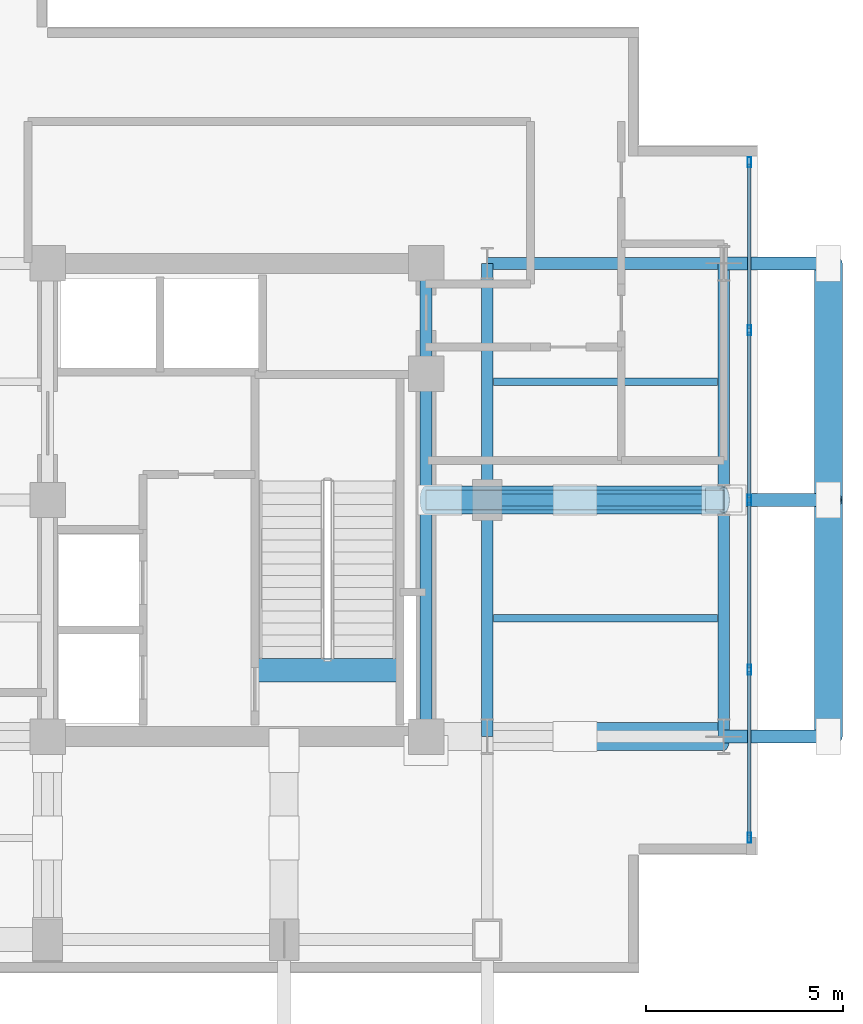
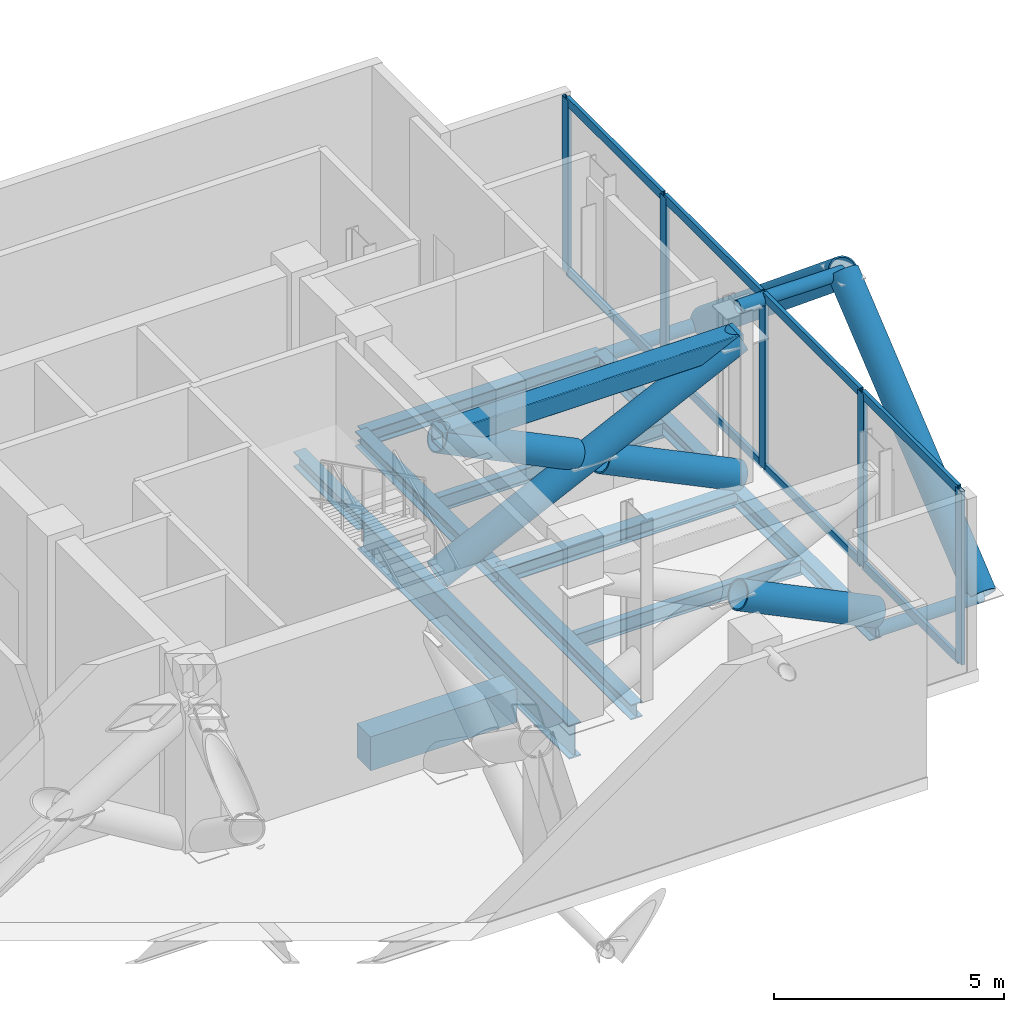
# One storey, part 3 of 8: 23 members, 11 beams, 1 element without a shape of its own.
"""IFC4 building model written with IfcOpenShell, lengths in metres."""

from ifc_helpers import new_model, si_unit, direction, frame, origin, origin_2d, place, context, subcontext, project, spatial, rectangle, hollow_rectangle, hollow_circle, i_section, extrude, material, layer, layer_set, material_profile, profile_set, type_object, element, aggregate, save


model = new_model("IFC4")

# Units and contexts
model_context = context("Model", 3, precision=1e-05, world=origin(), true_north=direction((0.0, 1.0)))
body_context = subcontext(model_context, "Body", "Model", "MODEL_VIEW")
ifc_project = project(units=[si_unit("LENGTHUNIT", "METRE"), si_unit("AREAUNIT", "SQUARE_METRE"), si_unit("VOLUMEUNIT", "CUBIC_METRE"), si_unit("PLANEANGLEUNIT", "RADIAN"), si_unit("MASSUNIT", "GRAM", prefix="KILO"), si_unit("THERMODYNAMICTEMPERATUREUNIT", "KELVIN"), si_unit("POWERUNIT", "WATT")], contexts=[model_context])

# Site, building, storey
site_placement = place(None, origin())
site = spatial("IfcSite", under=ifc_project, at=site_placement, CompositionType="ELEMENT")
building_placement = place(site_placement, origin())
building = spatial("IfcBuilding", under=site, at=building_placement, Name="Svarakhadi Broadcast Tower", CompositionType="ELEMENT")
storey_placement = place(building_placement, frame((0.0, 0.0, 234.89990234375)))
storey = spatial("IfcBuildingStorey", under=building, at=storey_placement, Name="L58", CompositionType="ELEMENT", Elevation=234.89990234375)

# Beams
ifc_material_1 = material(Name="Steel S355J2 (IS 2062 E350C)", Category="steel")
ifc_material_profile_1 = material_profile(ifc_material_1, i_section(OverallWidth=0.179931640625, OverallDepth=0.39990234375, WebThickness=0.008544921875, FlangeThickness=0.013427734375, FilletRadius=0.02099609375, at=origin_2d()), Name="NPB 400x180x66")
ifc_profile_set_1 = profile_set([ifc_material_profile_1], Name="Steel S355J2 (IS 2062 E350C)")
beam_type_1 = type_object("IfcBeamType", Name="Beam_NPB400", PredefinedType="BEAM", material=ifc_profile_set_1)
for number, where, z_axis, x_axis, name in (
    (1, (35.31005859375, 9.0, -0.52490234375), (1.0, 0.0, 0.0), (0.0, 1.0, 0.0), "L58 Secondary Composite Beam SB016"),
    (2, (35.31005859375, 15.0, -0.52490234375), (1.0, 0.0, 0.0), (0.0, 1.0, 0.0), "L58 Secondary Composite Beam SB017"),
):
    element("IfcBeam", number, at=place(storey_placement, frame(where, z_axis=z_axis, x_axis=x_axis)), inside=storey, type_object=beam_type_1, Name=name, PredefinedType="BEAM", context=body_context, shape_type="SweptSolid", body=[
        extrude(i_section(OverallWidth=0.179931640625, OverallDepth=0.39990234375, WebThickness=0.008544921875, FlangeThickness=0.013427734375, FilletRadius=0.02099609375, at=origin_2d()), origin(), (0.0, 0.0, 1.0), 5.679931640625),
    ])

# Curtain wall, members
ifc_material_2 = material(Name="Anodised Bronze Aluminium AA 6063-T6", Category="aluminium")
ifc_layer = layer(ifc_material_2, 0.260009765625)
ifc_layer_set = layer_set([ifc_layer], Name="Anodised Bronze Aluminium AA 6063-T6")
curtain_wall_type = type_object("IfcCurtainWallType", Name="CW_Sys_07", PredefinedType="NOTDEFINED", material=ifc_layer_set)
curtain_wall_placement = place(storey_placement, origin())
curtain_wall = element("IfcCurtainWall", 3, at=curtain_wall_placement, inside=storey, type_object=curtain_wall_type, Name="L58 East Plant Daylighting Curtain Wall CW-07", PredefinedType="NOTDEFINED")
ifc_material_profile_2 = material_profile(ifc_material_2, hollow_rectangle(XDim=0.090087890625, YDim=0.260009765625, WallThickness=0.005615234375, at=origin_2d()), Name="ALU MULLION 260x90x6")
ifc_profile_set_2 = profile_set([ifc_material_profile_2], Name="Anodised Bronze Aluminium AA 6063-T6")
member_type_1 = type_object("IfcMemberType", Name="CW_Sys_07_Mul", PredefinedType="MULLION", material=ifc_profile_set_2)
member_1_placement = place(storey_placement, frame((41.800048828125, 20.56494140625, 0.0), z_axis=(0.0, 0.0, 1.0), x_axis=(1.0, 0.0, 0.0)))
member_1 = element("IfcMember", 4, at=member_1_placement, type_object=member_type_1, Name="CW-07 mullion 1", PredefinedType="MULLION", context=body_context, shape_type="SweptSolid", body=[
    extrude(hollow_rectangle(XDim=0.090087890625, YDim=0.260009765625, WallThickness=0.005615234375, at=origin_2d()), origin(), (0.0, 0.0, 1.0), 4.60009765625),
])
member_2_placement = place(storey_placement, frame((41.800048828125, 16.304931640625, 0.0), z_axis=(0.0, 0.0, 1.0), x_axis=(1.0, 0.0, 0.0)))
member_2 = element("IfcMember", 5, at=member_2_placement, type_object=member_type_1, Name="CW-07 mullion 2", PredefinedType="MULLION", context=body_context, shape_type="SweptSolid", body=[
    extrude(hollow_rectangle(XDim=0.090087890625, YDim=0.260009765625, WallThickness=0.005615234375, at=origin_2d()), origin(), (0.0, 0.0, 1.0), 4.60009765625),
])
member_3_placement = place(storey_placement, frame((41.800048828125, 12.0, 0.0), z_axis=(0.0, 0.0, 1.0), x_axis=(1.0, 0.0, 0.0)))
member_3 = element("IfcMember", 6, at=member_3_placement, type_object=member_type_1, Name="CW-07 mullion 3", PredefinedType="MULLION", context=body_context, shape_type="SweptSolid", body=[
    extrude(hollow_rectangle(XDim=0.090087890625, YDim=0.260009765625, WallThickness=0.005615234375, at=origin_2d()), origin(), (0.0, 0.0, 1.0), 4.60009765625),
])
member_4_placement = place(storey_placement, frame((41.800048828125, 7.695068359375, 0.0), z_axis=(0.0, 0.0, 1.0), x_axis=(1.0, 0.0, 0.0)))
member_4 = element("IfcMember", 7, at=member_4_placement, type_object=member_type_1, Name="CW-07 mullion 4", PredefinedType="MULLION", context=body_context, shape_type="SweptSolid", body=[
    extrude(hollow_rectangle(XDim=0.090087890625, YDim=0.260009765625, WallThickness=0.005615234375, at=origin_2d()), origin(), (0.0, 0.0, 1.0), 4.60009765625),
])
member_5_placement = place(storey_placement, frame((41.800048828125, 3.43505859375, 0.0), z_axis=(0.0, 0.0, 1.0), x_axis=(1.0, 0.0, 0.0)))
member_5 = element("IfcMember", 8, at=member_5_placement, type_object=member_type_1, Name="CW-07 mullion 5", PredefinedType="MULLION", context=body_context, shape_type="SweptSolid", body=[
    extrude(hollow_rectangle(XDim=0.090087890625, YDim=0.260009765625, WallThickness=0.005615234375, at=origin_2d()), origin(), (0.0, 0.0, 1.0), 4.60009765625),
])
ifc_material_profile_3 = material_profile(ifc_material_2, hollow_rectangle(XDim=0.090087890625, YDim=0.22998046875, WallThickness=0.0048828125, at=origin_2d()), Name="ALU TRANSOM 230x90x5")
ifc_profile_set_3 = profile_set([ifc_material_profile_3], Name="Anodised Bronze Aluminium AA 6063-T6")
member_type_2 = type_object("IfcMemberType", Name="CW_Sys_07_Trn", PredefinedType="USERDEFINED", material=ifc_profile_set_3)
member_6_placement = place(storey_placement, frame((41.800048828125, 20.52001953125, 0.045166015625), z_axis=(0.0, -1.0, 0.0), x_axis=(1.0, 0.0, 0.0)))
member_6 = element("IfcMember", 9, at=member_6_placement, type_object=member_type_2, Name="CW-07 transom 1.1", ObjectType="TRANSOM", PredefinedType="USERDEFINED", context=body_context, shape_type="SweptSolid", body=[
    extrude(hollow_rectangle(XDim=0.090087890625, YDim=0.22998046875, WallThickness=0.0048828125, at=origin_2d()), origin(), (0.0, 0.0, 1.0), 4.169921875),
])
member_7_placement = place(storey_placement, frame((41.800048828125, 20.52001953125, 4.55517578125), z_axis=(0.0, -1.0, 0.0), x_axis=(1.0, 0.0, 0.0)))
member_7 = element("IfcMember", 10, at=member_7_placement, type_object=member_type_2, Name="CW-07 transom 1.2", ObjectType="TRANSOM", PredefinedType="USERDEFINED", context=body_context, shape_type="SweptSolid", body=[
    extrude(hollow_rectangle(XDim=0.090087890625, YDim=0.22998046875, WallThickness=0.0048828125, at=origin_2d()), origin(), (0.0, 0.0, 1.0), 4.169921875),
])
member_8_placement = place(storey_placement, frame((41.800048828125, 16.260009765625, 0.045166015625), z_axis=(0.0, -1.0, 0.0), x_axis=(1.0, 0.0, 0.0)))
member_8 = element("IfcMember", 11, at=member_8_placement, type_object=member_type_2, Name="CW-07 transom 2.1", ObjectType="TRANSOM", PredefinedType="USERDEFINED", context=body_context, shape_type="SweptSolid", body=[
    extrude(hollow_rectangle(XDim=0.090087890625, YDim=0.22998046875, WallThickness=0.0048828125, at=origin_2d()), origin(), (0.0, 0.0, 1.0), 4.215087890625),
])
member_9_placement = place(storey_placement, frame((41.800048828125, 16.260009765625, 4.55517578125), z_axis=(0.0, -1.0, 0.0), x_axis=(1.0, 0.0, 0.0)))
member_9 = element("IfcMember", 12, at=member_9_placement, type_object=member_type_2, Name="CW-07 transom 2.2", ObjectType="TRANSOM", PredefinedType="USERDEFINED", context=body_context, shape_type="SweptSolid", body=[
    extrude(hollow_rectangle(XDim=0.090087890625, YDim=0.22998046875, WallThickness=0.0048828125, at=origin_2d()), origin(), (0.0, 0.0, 1.0), 4.215087890625),
])
member_10_placement = place(storey_placement, frame((41.800048828125, 11.955078125, 0.045166015625), z_axis=(0.0, -1.0, 0.0), x_axis=(1.0, 0.0, 0.0)))
member_10 = element("IfcMember", 13, at=member_10_placement, type_object=member_type_2, Name="CW-07 transom 3.1", ObjectType="TRANSOM", PredefinedType="USERDEFINED", context=body_context, shape_type="SweptSolid", body=[
    extrude(hollow_rectangle(XDim=0.090087890625, YDim=0.22998046875, WallThickness=0.0048828125, at=origin_2d()), origin(), (0.0, 0.0, 1.0), 4.215087890625),
])
member_11_placement = place(storey_placement, frame((41.800048828125, 11.955078125, 4.55517578125), z_axis=(0.0, -1.0, 0.0), x_axis=(1.0, 0.0, 0.0)))
member_11 = element("IfcMember", 14, at=member_11_placement, type_object=member_type_2, Name="CW-07 transom 3.2", ObjectType="TRANSOM", PredefinedType="USERDEFINED", context=body_context, shape_type="SweptSolid", body=[
    extrude(hollow_rectangle(XDim=0.090087890625, YDim=0.22998046875, WallThickness=0.0048828125, at=origin_2d()), origin(), (0.0, 0.0, 1.0), 4.215087890625),
])
member_12_placement = place(storey_placement, frame((41.800048828125, 7.64990234375, 0.045166015625), z_axis=(0.0, -1.0, 0.0), x_axis=(1.0, 0.0, 0.0)))
member_12 = element("IfcMember", 15, at=member_12_placement, type_object=member_type_2, Name="CW-07 transom 4.1", ObjectType="TRANSOM", PredefinedType="USERDEFINED", context=body_context, shape_type="SweptSolid", body=[
    extrude(hollow_rectangle(XDim=0.090087890625, YDim=0.22998046875, WallThickness=0.0048828125, at=origin_2d()), origin(), (0.0, 0.0, 1.0), 4.169921875),
])
member_13_placement = place(storey_placement, frame((41.800048828125, 7.64990234375, 4.55517578125), z_axis=(0.0, -1.0, 0.0), x_axis=(1.0, 0.0, 0.0)))
member_13 = element("IfcMember", 16, at=member_13_placement, type_object=member_type_2, Name="CW-07 transom 4.2", ObjectType="TRANSOM", PredefinedType="USERDEFINED", context=body_context, shape_type="SweptSolid", body=[
    extrude(hollow_rectangle(XDim=0.090087890625, YDim=0.22998046875, WallThickness=0.0048828125, at=origin_2d()), origin(), (0.0, 0.0, 1.0), 4.169921875),
])
aggregate(curtain_wall, [member_1, member_2, member_3, member_4, member_5, member_6, member_7, member_8, member_9, member_10, member_11, member_12, member_13])

# Beam
ifc_material_3 = material(Name="Concrete C50/60 (IS 456 M60)", Category="concrete")
ifc_material_profile_4 = material_profile(ifc_material_3, rectangle(XDim=0.60009765625, YDim=0.89990234375, at=origin_2d()), Name="RC 600x900")
ifc_profile_set_4 = profile_set([ifc_material_profile_4], Name="Concrete C50/60 (IS 456 M60)")
beam_type_2 = type_object("IfcBeamType", Name="Coupling_RC600", PredefinedType="USERDEFINED", material=ifc_profile_set_4)
beam_1_placement = place(storey_placement, frame((29.260009765625, 7.679931640625, -0.449951171875), z_axis=(1.0, 0.0, 0.0), x_axis=(0.0, 1.0, 0.0)))
element("IfcBeam", 17, at=beam_1_placement, inside=storey, type_object=beam_type_2, Name="L58 Stair ST-02 Landing Throat Trimmer Beam CB-01", ObjectType="GIRDER", PredefinedType="USERDEFINED", context=body_context, shape_type="SweptSolid", body=[
    extrude(rectangle(XDim=0.60009765625, YDim=0.89990234375, at=origin_2d()), origin(), (0.0, 0.0, 1.0), 3.679931640625),
])

# Members
ifc_material_4 = material(Name="Steel S460ML (IS 2062 E450BR)", Category="steel")
ifc_material_profile_5 = material_profile(ifc_material_4, hollow_circle(Radius=0.35546875, WallThickness=0.034912109375, at=origin_2d()), Name="CHS 711x35")
ifc_profile_set_5 = profile_set([ifc_material_profile_5], Name="Steel S460ML (IS 2062 E450BR)")
member_type_3 = type_object("IfcMemberType", Name="Exo_Brace_CHS711", PredefinedType="BRACE", material=ifc_profile_set_5)
for number, where, z_axis, x_axis, name in (
    (18, (43.800048828125, 6.0, -0.48681640625), (0.0, 0.771345545027, 0.636416569683), (-1.0, 0.0, 0.0), "L58 Exposed Bronze Exoskeleton Diagonal E10"),
    (19, (43.800048828125, 18.0, -0.48681640625), (0.0, -0.771345545027, 0.636416569683), (1.0, 0.0, 0.0), "L58 Exposed Bronze Exoskeleton Diagonal E11"),
):
    element("IfcMember", number, at=place(storey_placement, frame(where, z_axis=z_axis, x_axis=x_axis)), inside=storey, type_object=member_type_3, Name=name, PredefinedType="BRACE", context=body_context, shape_type="SweptSolid", body=[
        extrude(hollow_circle(Radius=0.35546875, WallThickness=0.034912109375, at=origin_2d()), origin(), (0.0, 0.0, 1.0), 7.778564453125),
    ])
ifc_material_profile_6 = material_profile(ifc_material_4, hollow_circle(Radius=0.161865234375, WallThickness=0.01611328125, at=origin_2d()), Name="CHS 323.9x16")
ifc_profile_set_6 = profile_set([ifc_material_profile_6], Name="Steel S460ML (IS 2062 E450BR)")
member_type_4 = type_object("IfcMemberType", Name="Exo_Radial_Strut_Z2", PredefinedType="STRUT", material=ifc_profile_set_6)
for number, where, z_axis, x_axis, name in (
    (20, (43.800048828125, 6.0, -0.48681640625), (-1.0, 0.0, 0.0), (0.0, -1.0, 0.0), "L58 Exoskeleton Radial Tie Strut E07"),
    (21, (43.800048828125, 18.0, -0.48681640625), (-1.0, 0.0, 0.0), (0.0, -1.0, 0.0), "L58 Exoskeleton Radial Tie Strut E08"),
    (22, (43.800048828125, 12.0, 4.463623046875), (-1.0, 0.0, 0.0), (0.0, -1.0, 0.0), "L58 Exoskeleton Setback Top Radial Tie E01"),
):
    element("IfcMember", number, at=place(storey_placement, frame(where, z_axis=z_axis, x_axis=x_axis)), inside=storey, type_object=member_type_4, Name=name, PredefinedType="STRUT", context=body_context, shape_type="SweptSolid", body=[
        extrude(hollow_circle(Radius=0.161865234375, WallThickness=0.01611328125, at=origin_2d()), origin(), (0.0, 0.0, 1.0), 2.650146484375),
    ])

# Beams
ifc_material_profile_7 = material_profile(ifc_material_1, i_section(OverallWidth=0.300048828125, OverallDepth=0.39990234375, WebThickness=0.013427734375, FlangeThickness=0.02392578125, FilletRadius=0.027099609375, at=origin_2d()), Name="WPB 400x300x155")
ifc_profile_set_7 = profile_set([ifc_material_profile_7], Name="Steel S355J2 (IS 2062 E350C)")
beam_type_3 = type_object("IfcBeamType", Name="Girder_WPB400", PredefinedType="USERDEFINED", material=ifc_profile_set_7)
for number, where, z_axis, x_axis, name in (
    (23, (35.14990234375, 12.0, -0.52490234375), (1.0, 0.0, 0.0), (0.0, 1.0, 0.0), "L58 Primary E-W Girder G019"),
    (24, (35.14990234375, 18.0, -0.52490234375), (1.0, 0.0, 0.0), (0.0, 1.0, 0.0), "L58 Primary E-W Girder G025"),
):
    element("IfcBeam", number, at=place(storey_placement, frame(where, z_axis=z_axis, x_axis=x_axis)), inside=storey, type_object=beam_type_3, Name=name, ObjectType="GIRDER", PredefinedType="USERDEFINED", context=body_context, shape_type="SweptSolid", body=[
        extrude(i_section(OverallWidth=0.300048828125, OverallDepth=0.39990234375, WebThickness=0.013427734375, FlangeThickness=0.02392578125, FilletRadius=0.027099609375, at=origin_2d()), origin(), (0.0, 0.0, 1.0), 6.0),
    ])
beam_2_placement = place(storey_placement, frame((33.60009765625, 15.199951171875, -0.52490234375), z_axis=(0.0, 1.0, 0.0), x_axis=(-1.0, 0.0, 0.0)))
element("IfcBeam", 25, at=beam_2_placement, inside=storey, type_object=beam_type_3, Name="L58 Primary N-S Girder G055", ObjectType="GIRDER", PredefinedType="USERDEFINED", context=body_context, shape_type="SweptSolid", body=[
    extrude(i_section(OverallWidth=0.300048828125, OverallDepth=0.39990234375, WebThickness=0.013427734375, FlangeThickness=0.02392578125, FilletRadius=0.027099609375, at=origin_2d()), origin(), (0.0, 0.0, 1.0), 2.800048828125),
])
for number, where, z_axis, x_axis, name in (
    (26, (35.14990234375, 6.0, -0.52490234375), (0.0, 1.0, 0.0), (-1.0, 0.0, 0.0), "L58 Primary N-S Girder G057"),
    (27, (35.14990234375, 12.0, -0.52490234375), (0.0, 1.0, 0.0), (-1.0, 0.0, 0.0), "L58 Primary N-S Girder G058"),
    (28, (41.14990234375, 6.0, -0.52490234375), (0.0, 1.0, 0.0), (-1.0, 0.0, 0.0), "L58 Primary N-S Girder G059"),
    (29, (41.14990234375, 12.0, -0.52490234375), (0.0, 1.0, 0.0), (-1.0, 0.0, 0.0), "L58 Primary N-S Girder G060"),
):
    element("IfcBeam", number, at=place(storey_placement, frame(where, z_axis=z_axis, x_axis=x_axis)), inside=storey, type_object=beam_type_3, Name=name, ObjectType="GIRDER", PredefinedType="USERDEFINED", context=body_context, shape_type="SweptSolid", body=[
        extrude(i_section(OverallWidth=0.300048828125, OverallDepth=0.39990234375, WebThickness=0.013427734375, FlangeThickness=0.02392578125, FilletRadius=0.027099609375, at=origin_2d()), origin(), (0.0, 0.0, 1.0), 6.0),
    ])
ifc_material_profile_8 = material_profile(ifc_material_4, i_section(OverallWidth=0.300048828125, OverallDepth=0.89990234375, WebThickness=0.0185546875, FlangeThickness=0.034912109375, FilletRadius=0.030029296875, at=origin_2d()), Name="WPB 900x300x291")
ifc_profile_set_8 = profile_set([ifc_material_profile_8], Name="Steel S460ML (IS 2062 E450BR)")
beam_type_4 = type_object("IfcBeamType", Name="Girder_WPB900", PredefinedType="USERDEFINED", material=ifc_profile_set_8)
beam_3_placement = place(storey_placement, frame((33.60009765625, 6.0, -0.77490234375), z_axis=(0.0, 1.0, 0.0), x_axis=(-1.0, 0.0, 0.0)))
element("IfcBeam", 30, at=beam_3_placement, inside=storey, type_object=beam_type_4, Name="L58 Primary N-S Girder G054", ObjectType="GIRDER", PredefinedType="USERDEFINED", context=body_context, shape_type="SweptSolid", body=[
    extrude(i_section(OverallWidth=0.300048828125, OverallDepth=0.89990234375, WebThickness=0.0185546875, FlangeThickness=0.034912109375, FilletRadius=0.030029296875, at=origin_2d()), origin(), (0.0, 0.0, 1.0), 9.199951171875),
])

# Members
ifc_material_profile_9 = material_profile(ifc_material_4, hollow_circle(Radius=0.35546875, WallThickness=0.034912109375, at=origin_2d()), Name="CHS 711x35")
ifc_profile_set_9 = profile_set([ifc_material_profile_9], Name="Steel S460ML (IS 2062 E450BR)")
member_type_5 = type_object("IfcMemberType", Name="Outrigger_Brace_OT01", PredefinedType="BRACE", material=ifc_profile_set_9)
member_14_placement = place(storey_placement, frame((41.14990234375, 6.0, 0.0), z_axis=(-0.900290367053, 0.0, 0.435289851698), x_axis=(0.0, -1.0, 0.0)))
element("IfcMember", 31, at=member_14_placement, inside=storey, type_object=member_type_5, Name="L58 Core-to-Perimeter Outrigger Truss Diagonal OT-07B1", PredefinedType="BRACE", context=body_context, shape_type="SweptSolid", body=[
    extrude(hollow_circle(Radius=0.35546875, WallThickness=0.034912109375, at=origin_2d()), origin(), (0.0, 0.0, 1.0), 3.83740234375),
])
member_15_placement = place(storey_placement, frame((33.60009765625, 12.0, 0.0), z_axis=(0.900298757438, 0.0, 0.435272497816), x_axis=(0.0, 1.0, 0.0)))
element("IfcMember", 32, at=member_15_placement, inside=storey, type_object=member_type_5, Name="L58 Core-to-Perimeter Outrigger Truss Diagonal OT-08A", PredefinedType="BRACE", context=body_context, shape_type="SweptSolid", body=[
    extrude(hollow_circle(Radius=0.35546875, WallThickness=0.034912109375, at=origin_2d()), origin(), (0.0, 0.0, 1.0), 8.385986328125),
])
for number, where, z_axis, x_axis, name in (
    (33, (41.14990234375, 12.0, 0.0), (-0.900290367053, 0.0, 0.435289851698), (0.0, -1.0, 0.0), "L58 Core-to-Perimeter Outrigger Truss Diagonal OT-08B1"),
    (34, (37.054931640625, 12.0, 1.979736328125), (-0.900290367053, 0.0, 0.435289851698), (0.0, -1.0, 0.0), "L58 Core-to-Perimeter Outrigger Truss Diagonal OT-08B2"),
):
    element("IfcMember", number, at=place(storey_placement, frame(where, z_axis=z_axis, x_axis=x_axis)), inside=storey, type_object=member_type_5, Name=name, PredefinedType="BRACE", context=body_context, shape_type="SweptSolid", body=[
        extrude(hollow_circle(Radius=0.35546875, WallThickness=0.034912109375, at=origin_2d()), origin(), (0.0, 0.0, 1.0), 3.83740234375),
    ])
ifc_material_profile_10 = material_profile(ifc_material_4, hollow_rectangle(XDim=0.5, YDim=0.5, WallThickness=0.02490234375, InnerFilletRadius=0.02490234375, OuterFilletRadius=0.0400390625, at=origin_2d()), Name="SHS 500x500x25")
ifc_profile_set_10 = profile_set([ifc_material_profile_10], Name="Steel S460ML (IS 2062 E450BR)")
member_type_6 = type_object("IfcMemberType", Name="Outrigger_Truss_Chord", PredefinedType="CHORD", material=ifc_profile_set_10)
member_16_placement = place(storey_placement, frame((33.60009765625, 12.0, 3.650146484375), z_axis=(1.0, 0.0, 0.0), x_axis=(0.0, 1.0, 0.0)))
element("IfcMember", 35, at=member_16_placement, inside=storey, type_object=member_type_6, Name="L58 Outrigger Truss Top Chord OC-08", PredefinedType="CHORD", context=body_context, shape_type="SweptSolid", body=[
    extrude(hollow_rectangle(XDim=0.5, YDim=0.5, WallThickness=0.02490234375, InnerFilletRadius=0.02490234375, OuterFilletRadius=0.0400390625, at=origin_2d()), origin(), (0.0, 0.0, 1.0), 7.5498046875),
])

save(model, "model.ifc")
